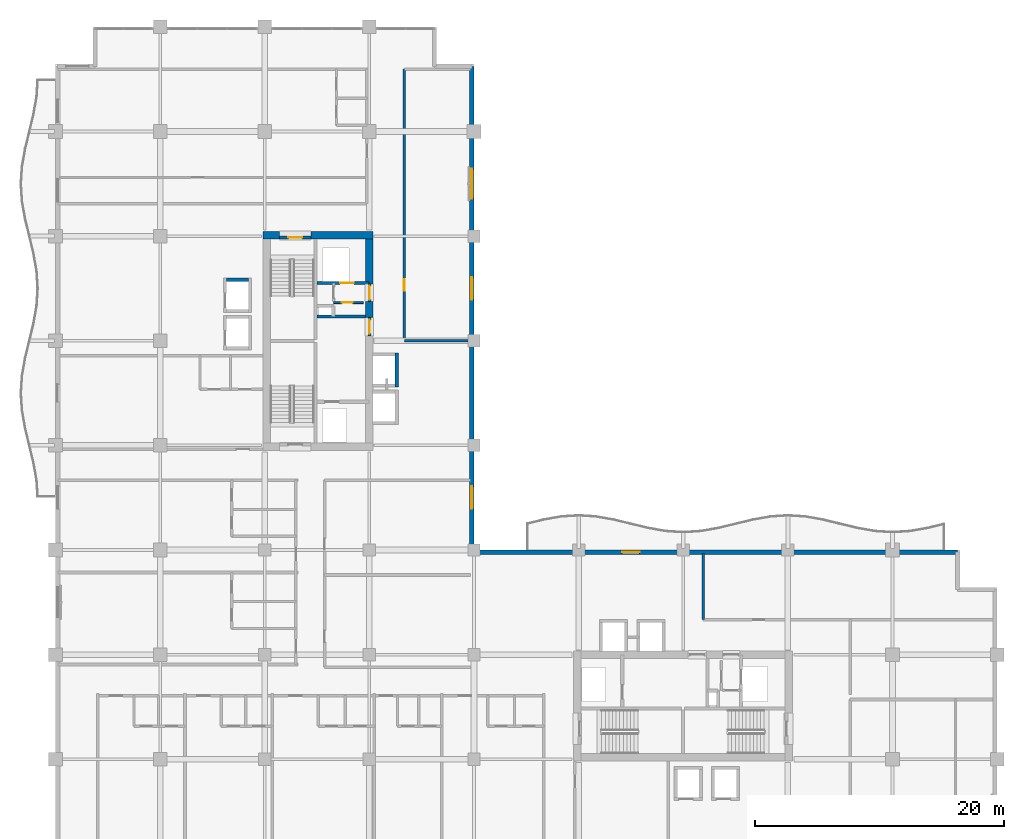
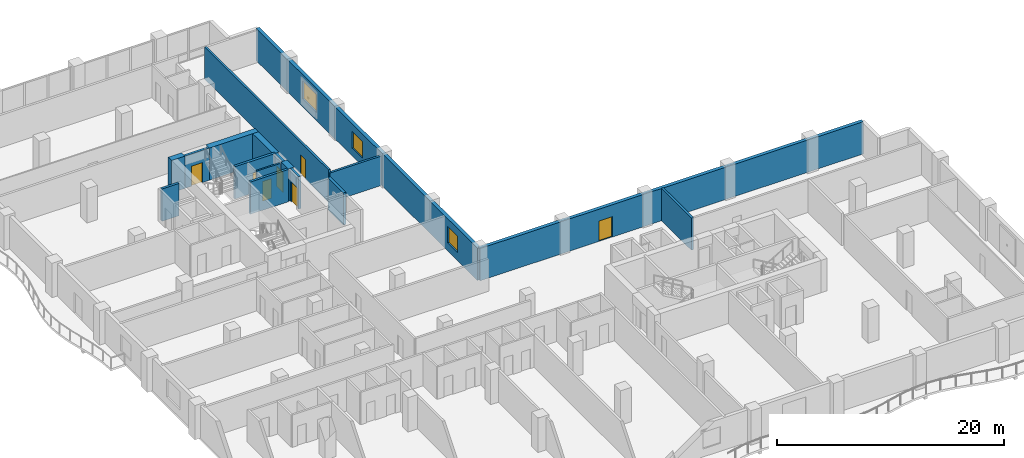
# One storey, part 11 of 19: 17 walls, 7 doors, 3 windows, 10 openings.
"""IFC4 building model written with IfcOpenShell, lengths in metres."""

from ifc_helpers import new_model, si_unit, direction, frame, frame_2d, origin, place, context, subcontext, project, spatial, rectangle, extrude, material, layer, layer_set, type_object, element, fill, save


model = new_model("IFC4")

# Units and contexts
model_context = context("Model", 3, precision=1e-05, world=origin(), true_north=direction((0.0, 1.0)))
body_context = subcontext(model_context, "Body", "Model", "MODEL_VIEW")
ifc_project = project(units=[si_unit("LENGTHUNIT", "METRE"), si_unit("AREAUNIT", "SQUARE_METRE"), si_unit("VOLUMEUNIT", "CUBIC_METRE"), si_unit("PLANEANGLEUNIT", "RADIAN"), si_unit("MASSUNIT", "GRAM", prefix="KILO")], contexts=[model_context])

# Site, building, storey
site_placement = place(None, origin())
site = spatial("IfcSite", under=ifc_project, at=site_placement, CompositionType="ELEMENT")
building_placement = place(site_placement, origin())
building = spatial("IfcBuilding", under=site, at=building_placement, Name="Koriwani Terraces Tower", CompositionType="ELEMENT")
storey_placement = place(building_placement, frame((0.0, 0.0, 190.199951171875)))
storey = spatial("IfcBuildingStorey", under=building, at=storey_placement, Name="L46", CompositionType="ELEMENT", Elevation=190.199951171875)

# Walls
ifc_material_1 = material(Name="Concrete C60/75", Category="concrete")
ifc_layer_1 = layer(ifc_material_1, 0.60009765625, Name="Concrete C60/75")
ifc_layer_set_1 = layer_set([ifc_layer_1], Name="Concrete C60/75")
wall_type_1 = type_object("IfcWallType", Name="WALL_CORE_RC_600", PredefinedType="SHEAR", material=ifc_layer_set_1)
wall_1_placement = place(storey_placement, frame((16.64990234375, 58.85009765625, 0.0), z_axis=(0.0, 0.0, 1.0), x_axis=(1.0, 0.0, 0.0)))
element("IfcWall", 1, at=wall_1_placement, inside=storey, type_object=wall_type_1, Name="L46 West Split Core Shear Wall N1", PredefinedType="SHEAR", context=body_context, shape_type="SweptSolid", body=[
    extrude(rectangle(XDim=1.35009765625, YDim=0.60009765625, at=frame_2d((0.675048828125, 0.0))), origin(), (0.0, 0.0, 1.0), 3.469970703125),
])
wall_2_placement = place(storey_placement, frame((20.5, 58.85009765625, 0.0), z_axis=(0.0, 0.0, 1.0), x_axis=(1.0, 0.0, 0.0)))
element("IfcWall", 2, at=wall_2_placement, inside=storey, type_object=wall_type_1, Name="L46 West Split Core Shear Wall N2", PredefinedType="SHEAR", context=body_context, shape_type="SweptSolid", body=[
    extrude(rectangle(XDim=5.0, YDim=0.60009765625, at=frame_2d((2.5, 0.0))), origin(), (0.0, 0.0, 1.0), 3.469970703125),
])
wall_3_placement = place(storey_placement, frame((25.199951171875, 52.280029296875, 0.0), z_axis=(0.0, 0.0, 1.0), x_axis=(0.0, 1.0, 0.0)))
element("IfcWall", 3, at=wall_3_placement, inside=storey, type_object=wall_type_1, Name="L46 West Split Core Shear Wall E2", PredefinedType="SHEAR", context=body_context, shape_type="SweptSolid", body=[
    extrude(rectangle(XDim=1.27001953125, YDim=0.60009765625, at=frame_2d((0.635009765625, 0.0))), origin(), (0.0, 0.0, 1.0), 3.469970703125),
])
wall_4_placement = place(storey_placement, frame((25.199951171875, 54.949951171875, 0.0), z_axis=(0.0, 0.0, 1.0), x_axis=(0.0, 1.0, 0.0)))
element("IfcWall", 4, at=wall_4_placement, inside=storey, type_object=wall_type_1, Name="L46 West Split Core Shear Wall E3", PredefinedType="SHEAR", context=body_context, shape_type="SweptSolid", body=[
    extrude(rectangle(XDim=3.60009765625, YDim=0.60009765625, at=frame_2d((1.800048828125, 0.0))), origin(), (0.0, 0.0, 1.0), 3.469970703125),
])

# Wall, opening, door
ifc_material_2 = material(Name="Autoclaved Cellular Concrete Blockwork", Category="masonry")
ifc_layer_2 = layer(ifc_material_2, 0.199951171875, Name="Autoclaved Cellular Concrete Blockwork")
ifc_layer_set_2 = layer_set([ifc_layer_2], Name="Autoclaved Cellular Concrete Blockwork")
wall_type_2 = type_object("IfcWallType", Name="WALL_CORRIDOR_200", PredefinedType="PARTITIONING", material=ifc_layer_set_2)
wall_5_placement = place(storey_placement, frame((28.0, 50.39990234375, 0.0), z_axis=(0.0, 0.0, 1.0), x_axis=(0.0, 1.0, 0.0)))
wall_5 = element("IfcWall", 5, at=wall_5_placement, inside=storey, type_object=wall_type_2, Name="L46 Interior Wall WNEC-W-L46", PredefinedType="PARTITIONING", context=body_context, shape_type="SweptSolid", body=[
    extrude(rectangle(XDim=21.800048828125, YDim=0.199951171875, at=frame_2d((10.89990234375, 0.0))), origin(), (0.0, 0.0, 1.0), 3.469970703125),
])
opening_1_placement = place(wall_5_placement, frame((4.0, 0.0, 0.0)))
opening_1 = element("IfcOpeningElement", 6, at=opening_1_placement, cuts=wall_5, Name="Opening D-06", PredefinedType="OPENING", context=body_context, shape_type="SweptSolid", body=[
    extrude(rectangle(XDim=0.919921875, YDim=2.10009765625, at=frame_2d((0.4599609375, 1.050048828125))), frame((0.0, 0.10986328125, 0.0), z_axis=(0.0, -1.0, 0.0), x_axis=(1.0, 0.0, 0.0)), (0.0, 0.0, 1.0), 0.219970703125),
])
ifc_material_3 = material(Name="Architectural Oak Fire Door", Category="wood")
door_type_1 = type_object("IfcDoorType", Name="DOOR_ROOM_INT_920X2100", OperationType="NOTDEFINED", PredefinedType="DOOR", material=ifc_material_3)
door_1_placement = place(opening_1_placement, origin())
door_1 = element("IfcDoor", 7, at=door_1_placement, inside=storey, type_object=door_type_1, Name="L46 North Court Study Door", OperationType="SINGLE_SWING_LEFT", OverallHeight=2.10009765625, OverallWidth=0.919921875, PredefinedType="DOOR", context=body_context, shape_type="SweptSolid", body=[
    extrude(rectangle(XDim=0.919921875, YDim=2.10009765625, at=frame_2d((0.4599609375, 1.050048828125))), frame((0.0, 0.02490234375, 0.0), z_axis=(0.0, -1.0, 0.0), x_axis=(1.0, 0.0, 0.0)), (0.0, 0.0, 1.0), 0.050048828125),
])
fill(opening_1, door_1)

# Walls
ifc_layer_3 = layer(ifc_material_2, 0.219970703125, Name="Autoclaved Cellular Concrete Blockwork")
ifc_layer_set_3 = layer_set([ifc_layer_3], Name="Autoclaved Cellular Concrete Blockwork")
wall_type_3 = type_object("IfcWallType", Name="WALL_DEMISING_220", PredefinedType="PARTITIONING", material=ifc_layer_set_3)
wall_6_placement = place(storey_placement, frame((28.0, 50.39990234375, 0.0), z_axis=(0.0, 0.0, 1.0), x_axis=(1.0, 0.0, 0.0)))
element("IfcWall", 8, at=wall_6_placement, inside=storey, type_object=wall_type_3, Name="L46 Interior Wall WNEC-S-L46", PredefinedType="PARTITIONING", context=body_context, shape_type="SweptSolid", body=[
    extrude(rectangle(XDim=5.300048828125, YDim=0.219970703125, at=frame_2d((2.64990234375, 0.0))), origin(), (0.0, 0.0, 1.0), 3.16015625),
])
wall_7_placement = place(storey_placement, frame((52.0, 28.0, 0.0), z_axis=(0.0, 0.0, 1.0), x_axis=(0.0, 1.0, 0.0)))
element("IfcWall", 9, at=wall_7_placement, inside=storey, type_object=wall_type_3, Name="L46 Interior Wall WSET2-W-L46", PredefinedType="PARTITIONING", context=body_context, shape_type="SweptSolid", body=[
    extrude(rectangle(XDim=5.300048828125, YDim=0.219970703125, at=frame_2d((2.64990234375, 0.0))), origin(), (0.0, 0.0, 1.0), 3.469970703125),
])

# Wall, openings, windows
ifc_material_4 = material(Name="Concrete C50/60", Category="concrete")
ifc_layer_4 = layer(ifc_material_4, 0.35009765625, Name="Concrete C50/60")
ifc_layer_set_4 = layer_set([ifc_layer_4], Name="Concrete C50/60")
wall_type_4 = type_object("IfcWallType", Name="WALL_EXT_BRUTALIST_350", PredefinedType="STANDARD", material=ifc_layer_set_4)
wall_8_placement = place(storey_placement, frame((33.425048828125, 72.425048828125, 0.0), z_axis=(0.0, 0.0, 1.0), x_axis=(0.0, -1.0, 0.0)))
wall_8 = element("IfcWall", 10, at=wall_8_placement, inside=storey, type_object=wall_type_4, Name="L46 Fair-Faced Brutalist Exterior Wall (NW_IN)", PredefinedType="STANDARD", context=body_context, shape_type="SweptSolid", body=[
    extrude(rectangle(XDim=39.0, YDim=0.35009765625, at=frame_2d((19.5, 0.0))), origin(), (0.0, 0.0, 1.0), 3.469970703125),
])
opening_2_placement = place(wall_8_placement, frame((33.72509765625, 0.0, 0.85009765625)))
opening_2 = element("IfcOpeningElement", 11, at=opening_2_placement, cuts=wall_8, Name="Opening W-04", PredefinedType="OPENING", context=body_context, shape_type="SweptSolid", body=[
    extrude(rectangle(XDim=1.800048828125, YDim=1.800048828125, at=frame_2d((0.89990234375, 0.89990234375))), frame((0.0, 0.18505859375, 0.0), z_axis=(0.0, -1.0, 0.0), x_axis=(1.0, 0.0, 0.0)), (0.0, 0.0, 1.0), 0.3701171875),
])
opening_3_placement = place(wall_8_placement, frame((16.925048828125, 0.0, 0.85009765625)))
opening_3 = element("IfcOpeningElement", 12, at=opening_3_placement, cuts=wall_8, Name="Opening W-04", PredefinedType="OPENING", context=body_context, shape_type="SweptSolid", body=[
    extrude(rectangle(XDim=1.800048828125, YDim=1.800048828125, at=frame_2d((0.89990234375, 0.89990234375))), frame((0.0, 0.18505859375, 0.0), z_axis=(0.0, -1.0, 0.0), x_axis=(1.0, 0.0, 0.0)), (0.0, 0.0, 1.0), 0.3701171875),
])
opening_4_placement = place(wall_8_placement, frame((8.22509765625, 0.0, 0.85009765625)))
opening_4 = element("IfcOpeningElement", 13, at=opening_4_placement, cuts=wall_8, Name="Opening W-03", PredefinedType="OPENING", context=body_context, shape_type="SweptSolid", body=[
    extrude(rectangle(XDim=2.39990234375, YDim=1.949951171875, at=frame_2d((1.199951171875, 0.97509765625))), frame((0.0, 0.18505859375, 0.0), z_axis=(0.0, -1.0, 0.0), x_axis=(1.0, 0.0, 0.0)), (0.0, 0.0, 1.0), 0.3701171875),
])
ifc_material_5 = material(Name="Tempered Laminated Low-E Glass", Category="glass")
window_type_1 = type_object("IfcWindowType", Name="WIN_RES_BED_1800X1800", PartitioningType="DOUBLE_PANEL_VERTICAL", PredefinedType="WINDOW", material=ifc_material_5)
window_1_placement = place(opening_2_placement, origin())
window_1 = element("IfcWindow", 14, at=window_1_placement, inside=storey, type_object=window_type_1, Name="L46 Exterior Window (NW_IN-2)", OverallHeight=1.800048828125, OverallWidth=1.800048828125, PartitioningType="SINGLE_PANEL", PredefinedType="WINDOW", context=body_context, shape_type="SweptSolid", body=[
    extrude(rectangle(XDim=1.800048828125, YDim=1.800048828125, at=frame_2d((0.89990234375, 0.89990234375))), frame((0.0, 0.030029296875, 0.0), z_axis=(0.0, -1.0, 0.0), x_axis=(1.0, 0.0, 0.0)), (0.0, 0.0, 1.0), 0.06005859375),
])
fill(opening_2, window_1)
window_2_placement = place(opening_3_placement, origin())
window_2 = element("IfcWindow", 15, at=window_2_placement, inside=storey, type_object=window_type_1, Name="L46 Exterior Window (NW_IN-8)", OverallHeight=1.800048828125, OverallWidth=1.800048828125, PartitioningType="SINGLE_PANEL", PredefinedType="WINDOW", context=body_context, shape_type="SweptSolid", body=[
    extrude(rectangle(XDim=1.800048828125, YDim=1.800048828125, at=frame_2d((0.89990234375, 0.89990234375))), frame((0.0, 0.030029296875, 0.0), z_axis=(0.0, -1.0, 0.0), x_axis=(1.0, 0.0, 0.0)), (0.0, 0.0, 1.0), 0.06005859375),
])
fill(opening_3, window_2)
window_type_2 = type_object("IfcWindowType", Name="WIN_RES_LIVING_2400X1950", PartitioningType="DOUBLE_PANEL_VERTICAL", PredefinedType="WINDOW", material=ifc_material_5)
window_3_placement = place(opening_4_placement, origin())
window_3 = element("IfcWindow", 16, at=window_3_placement, inside=storey, type_object=window_type_2, Name="L46 Exterior Window (NW_IN-11)", OverallHeight=1.949951171875, OverallWidth=2.39990234375, PartitioningType="SINGLE_PANEL", PredefinedType="WINDOW", context=body_context, shape_type="SweptSolid", body=[
    extrude(rectangle(XDim=2.39990234375, YDim=1.949951171875, at=frame_2d((1.199951171875, 0.97509765625))), frame((0.0, 0.030029296875, 0.0), z_axis=(0.0, -1.0, 0.0), x_axis=(1.0, 0.0, 0.0)), (0.0, 0.0, 1.0), 0.06005859375),
])
fill(opening_4, window_3)

# Wall, opening, door
wall_9_placement = place(storey_placement, frame((33.425048828125, 33.425048828125, 0.0), z_axis=(0.0, 0.0, 1.0), x_axis=(1.0, 0.0, 0.0)))
wall_9 = element("IfcWall", 17, at=wall_9_placement, inside=storey, type_object=wall_type_4, Name="L46 Fair-Faced Brutalist Exterior Wall (NE)", PredefinedType="STANDARD", context=body_context, shape_type="SweptSolid", body=[
    extrude(rectangle(XDim=39.0, YDim=0.35009765625, at=frame_2d((19.5, 0.0))), origin(), (0.0, 0.0, 1.0), 3.469970703125),
])
opening_5_placement = place(wall_9_placement, frame((12.074951171875, 0.0, 0.0)))
opening_5 = element("IfcOpeningElement", 18, at=opening_5_placement, cuts=wall_9, Name="Opening D-09", PredefinedType="OPENING", context=body_context, shape_type="SweptSolid", body=[
    extrude(rectangle(XDim=1.39990234375, YDim=2.199951171875, at=frame_2d((0.699951171875, 1.10009765625))), frame((0.0, 0.18505859375, 0.0), z_axis=(0.0, -1.0, 0.0), x_axis=(1.0, 0.0, 0.0)), (0.0, 0.0, 1.0), 0.3701171875),
])
ifc_material_6 = material(Name="Anodised Bronze Aluminium", Category="aluminium")
door_type_2 = type_object("IfcDoorType", Name="DOOR_BALCONY_GLAZED_1400X2200", OperationType="NOTDEFINED", PredefinedType="DOOR", material=ifc_material_6)
door_2_placement = place(opening_5_placement, origin())
door_2 = element("IfcDoor", 19, at=door_2_placement, inside=storey, type_object=door_type_2, Name="L46 Inner Court Balcony Glazed Door", OperationType="SINGLE_SWING_LEFT", OverallHeight=2.199951171875, OverallWidth=1.39990234375, PredefinedType="DOOR", context=body_context, shape_type="SweptSolid", body=[
    extrude(rectangle(XDim=1.39990234375, YDim=2.199951171875, at=frame_2d((0.699951171875, 1.10009765625))), frame((0.0, 0.02490234375, 0.0), z_axis=(0.0, -1.0, 0.0), x_axis=(1.0, 0.0, 0.0)), (0.0, 0.0, 1.0), 0.050048828125),
])
fill(opening_5, door_2)

ifc_material_7 = material(Name="Concrete C40/50", Category="concrete")
ifc_layer_5 = layer(ifc_material_7, 0.25, Name="Concrete C40/50")
ifc_layer_set_5 = layer_set([ifc_layer_5], Name="Concrete C40/50")
wall_type_5 = type_object("IfcWallType", Name="WALL_SHAFT_RATED_250", PredefinedType="SOLIDWALL", material=ifc_layer_set_5)
wall_10_placement = place(storey_placement, frame((18.0, 58.675048828125, 0.0), z_axis=(0.0, 0.0, 1.0), x_axis=(1.0, 0.0, 0.0)))
wall_10 = element("IfcWall", 20, at=wall_10_placement, inside=storey, type_object=wall_type_5, Name="L46 Interior Wall WIN-CW-L46-STN", PredefinedType="SOLIDWALL", context=body_context, shape_type="SweptSolid", body=[
    extrude(rectangle(XDim=2.5, YDim=0.25, at=frame_2d((1.25, 0.0))), origin(), (0.0, 0.0, 1.0), 3.469970703125),
])
opening_6_placement = place(wall_10_placement, frame((0.699951171875, 0.0, 0.0)))
opening_6 = element("IfcOpeningElement", 21, at=opening_6_placement, cuts=wall_10, Name="Opening D-03", PredefinedType="OPENING", context=body_context, shape_type="SweptSolid", body=[
    extrude(rectangle(XDim=1.10009765625, YDim=2.14990234375, at=frame_2d((0.550048828125, 1.074951171875))), frame((0.0, 0.135009765625, 0.0), z_axis=(0.0, -1.0, 0.0), x_axis=(1.0, 0.0, 0.0)), (0.0, 0.0, 1.0), 0.27001953125),
])
ifc_material_8 = material(Name="Steel ASTM A572 Grade 50", Category="steel")
door_type_3 = type_object("IfcDoorType", Name="DOOR_STAIR_FIRE_1100X2150", OperationType="NOTDEFINED", PredefinedType="DOOR", material=ifc_material_8)
door_3_placement = place(opening_6_placement, origin())
door_3 = element("IfcDoor", 22, at=door_3_placement, inside=storey, type_object=door_type_3, Name="L46 Exit Stair ST-W2 Door", OperationType="SINGLE_SWING_LEFT", OverallHeight=2.14990234375, OverallWidth=1.10009765625, PredefinedType="DOOR", context=body_context, shape_type="SweptSolid", body=[
    extrude(rectangle(XDim=1.10009765625, YDim=2.14990234375, at=frame_2d((0.550048828125, 1.074951171875))), frame((0.0, 0.02490234375, 0.0), z_axis=(0.0, -1.0, 0.0), x_axis=(1.0, 0.0, 0.0)), (0.0, 0.0, 1.0), 0.050048828125),
])
fill(opening_6, door_3)

wall_11_placement = place(storey_placement, frame((25.199951171875, 50.800048828125, 0.0), z_axis=(0.0, 0.0, 1.0), x_axis=(0.0, 1.0, 0.0)))
wall_11 = element("IfcWall", 23, at=wall_11_placement, inside=storey, type_object=wall_type_5, Name="L46 Interior Wall WIN-CW-L46-EP", PredefinedType="SOLIDWALL", context=body_context, shape_type="SweptSolid", body=[
    extrude(rectangle(XDim=1.47998046875, YDim=0.25, at=frame_2d((0.739990234375, 0.0))), origin(), (0.0, 0.0, 1.0), 3.469970703125),
])
opening_7_placement = place(wall_11_placement, frame((0.179931640625, 0.0, 0.0)))
opening_7 = element("IfcOpeningElement", 24, at=opening_7_placement, cuts=wall_11, Name="Opening D-03", PredefinedType="OPENING", context=body_context, shape_type="SweptSolid", body=[
    extrude(rectangle(XDim=1.10009765625, YDim=2.14990234375, at=frame_2d((0.550048828125, 1.074951171875))), frame((0.0, 0.135009765625, 0.0), z_axis=(0.0, -1.0, 0.0), x_axis=(1.0, 0.0, 0.0)), (0.0, 0.0, 1.0), 0.27001953125),
])
door_4_placement = place(opening_7_placement, origin())
door_4 = element("IfcDoor", 25, at=door_4_placement, inside=storey, type_object=door_type_3, Name="L46 West Firefighting Lobby Door", OperationType="SINGLE_SWING_RIGHT", OverallHeight=2.14990234375, OverallWidth=1.10009765625, PredefinedType="DOOR", context=body_context, shape_type="SweptSolid", body=[
    extrude(rectangle(XDim=1.10009765625, YDim=2.14990234375, at=frame_2d((0.550048828125, 1.074951171875))), frame((0.0, 0.02490234375, 0.0), z_axis=(0.0, -1.0, 0.0), x_axis=(1.0, 0.0, 0.0)), (0.0, 0.0, 1.0), 0.050048828125),
])
fill(opening_7, door_4)

# Wall
wall_12_placement = place(storey_placement, frame((21.0, 52.340087890625, 0.0), z_axis=(0.0, 0.0, 1.0), x_axis=(1.0, 0.0, 0.0)))
element("IfcWall", 26, at=wall_12_placement, inside=storey, type_object=wall_type_5, Name="L46 Interior Wall WIN-CW-L46-FFN", PredefinedType="SOLIDWALL", context=body_context, shape_type="SweptSolid", body=[
    extrude(rectangle(XDim=3.89990234375, YDim=0.25, at=frame_2d((1.949951171875, 0.0))), origin(), (0.0, 0.0, 1.0), 3.469970703125),
])

# Wall, opening, door
wall_13_placement = place(storey_placement, frame((21.0, 55.050048828125, 0.0), z_axis=(0.0, 0.0, 1.0), x_axis=(1.0, 0.0, 0.0)))
wall_13 = element("IfcWall", 27, at=wall_13_placement, inside=storey, type_object=wall_type_5, Name="L46 Interior Wall WIN-CW-L46-SE", PredefinedType="SOLIDWALL", context=body_context, shape_type="SweptSolid", body=[
    extrude(rectangle(XDim=4.14990234375, YDim=0.25, at=frame_2d((2.074951171875, 0.0))), origin(), (0.0, 0.0, 1.0), 3.469970703125),
])
opening_8_placement = place(wall_13_placement, frame((1.85009765625, 0.0, 0.0)))
opening_8 = element("IfcOpeningElement", 28, at=opening_8_placement, cuts=wall_13, Name="Opening LD-01", PredefinedType="OPENING", context=body_context, shape_type="SweptSolid", body=[
    extrude(rectangle(XDim=1.10009765625, YDim=2.14990234375, at=frame_2d((0.550048828125, 1.074951171875))), frame((0.0, 0.135009765625, 0.0), z_axis=(0.0, -1.0, 0.0), x_axis=(1.0, 0.0, 0.0)), (0.0, 0.0, 1.0), 0.27001953125),
])
door_type_4 = type_object("IfcDoorType", Name="DOOR_LIFT_LANDING_1100X2200", OperationType="NOTDEFINED", PredefinedType="DOOR", material=ifc_material_8)
door_5_placement = place(opening_8_placement, origin())
door_5 = element("IfcDoor", 29, at=door_5_placement, inside=storey, type_object=door_type_4, Name="L46 Goods Lift SE-01 Landing Door", OperationType="SLIDING_TO_LEFT", OverallHeight=2.14990234375, OverallWidth=1.10009765625, PredefinedType="DOOR", context=body_context, shape_type="SweptSolid", body=[
    extrude(rectangle(XDim=1.10009765625, YDim=2.14990234375, at=frame_2d((0.550048828125, 1.074951171875))), frame((0.0, 0.02490234375, 0.0), z_axis=(0.0, -1.0, 0.0), x_axis=(1.0, 0.0, 0.0)), (0.0, 0.0, 1.0), 0.050048828125),
])
fill(opening_8, door_5)

wall_14_placement = place(storey_placement, frame((25.199951171875, 53.550048828125, 0.0), z_axis=(0.0, 0.0, 1.0), x_axis=(0.0, 1.0, 0.0)))
wall_14 = element("IfcWall", 30, at=wall_14_placement, inside=storey, type_object=wall_type_5, Name="L46 Interior Wall WIN-CW-L46-EP2", PredefinedType="SOLIDWALL", context=body_context, shape_type="SweptSolid", body=[
    extrude(rectangle(XDim=1.39990234375, YDim=0.25, at=frame_2d((0.699951171875, 0.0))), origin(), (0.0, 0.0, 1.0), 3.469970703125),
])
opening_9_placement = place(wall_14_placement, frame((0.14990234375, 0.0, 0.0)))
opening_9 = element("IfcOpeningElement", 31, at=opening_9_placement, cuts=wall_14, Name="Opening D-03", PredefinedType="OPENING", context=body_context, shape_type="SweptSolid", body=[
    extrude(rectangle(XDim=1.10009765625, YDim=2.14990234375, at=frame_2d((0.550048828125, 1.074951171875))), frame((0.0, 0.135009765625, 0.0), z_axis=(0.0, -1.0, 0.0), x_axis=(1.0, 0.0, 0.0)), (0.0, 0.0, 1.0), 0.27001953125),
])
door_6_placement = place(opening_9_placement, origin())
door_6 = element("IfcDoor", 32, at=door_6_placement, inside=storey, type_object=door_type_3, Name="L46 West Goods Lift Lobby Door", OperationType="SINGLE_SWING_LEFT", OverallHeight=2.14990234375, OverallWidth=1.10009765625, PredefinedType="DOOR", context=body_context, shape_type="SweptSolid", body=[
    extrude(rectangle(XDim=1.10009765625, YDim=2.14990234375, at=frame_2d((0.550048828125, 1.074951171875))), frame((0.0, 0.02490234375, 0.0), z_axis=(0.0, -1.0, 0.0), x_axis=(1.0, 0.0, 0.0)), (0.0, 0.0, 1.0), 0.050048828125),
])
fill(opening_9, door_6)

# Walls
wall_15_placement = place(storey_placement, frame((13.72509765625, 55.300048828125, 0.0), z_axis=(0.0, 0.0, 1.0), x_axis=(1.0, 0.0, 0.0)))
element("IfcWall", 33, at=wall_15_placement, inside=storey, type_object=wall_type_5, Name="L46 Interior Wall WIN-LF-PE-M2-L46-N", PredefinedType="SOLIDWALL", context=body_context, shape_type="SweptSolid", body=[
    extrude(rectangle(XDim=1.75, YDim=0.25, at=frame_2d((0.875, 0.0))), origin(), (0.0, 0.0, 1.0), 3.469970703125),
])
wall_16_placement = place(storey_placement, frame((27.39990234375, 46.675048828125, 0.0), z_axis=(0.0, 0.0, 1.0), x_axis=(0.0, 1.0, 0.0)))
element("IfcWall", 34, at=wall_16_placement, inside=storey, type_object=wall_type_5, Name="L46 Interior Wall WIN-LF-PE-H2-L46-F", PredefinedType="SOLIDWALL", context=body_context, shape_type="SweptSolid", body=[
    extrude(rectangle(XDim=2.75, YDim=0.25, at=frame_2d((1.375, 0.0))), origin(), (0.0, 0.0, 1.0), 3.469970703125),
])

# Wall, opening, door
ifc_material_9 = material(Name="Fire-Rated Acoustic Gypsum Partition", Category="masonry")
ifc_layer_6 = layer(ifc_material_9, 0.159912109375, Name="Fire-Rated Acoustic Gypsum Partition")
ifc_layer_set_6 = layer_set([ifc_layer_6], Name="Fire-Rated Acoustic Gypsum Partition")
wall_type_6 = type_object("IfcWallType", Name="WALL_SUITE_160", PredefinedType="PARTITIONING", material=ifc_layer_set_6)
wall_17_placement = place(storey_placement, frame((22.320068359375, 53.4599609375, 0.0), z_axis=(0.0, 0.0, 1.0), x_axis=(1.0, 0.0, 0.0)))
wall_17 = element("IfcWall", 35, at=wall_17_placement, inside=storey, type_object=wall_type_6, Name="L46 Interior Wall WIN-CW-L46-SV1B", PredefinedType="PARTITIONING", context=body_context, shape_type="SweptSolid", body=[
    extrude(rectangle(XDim=2.39990234375, YDim=0.159912109375, at=frame_2d((1.199951171875, 0.0))), origin(), (0.0, 0.0, 1.0), 3.469970703125),
])
opening_10_placement = place(wall_17_placement, frame((0.64990234375, 0.0, 0.0)))
opening_10 = element("IfcOpeningElement", 36, at=opening_10_placement, cuts=wall_17, Name="Opening D-07", PredefinedType="OPENING", context=body_context, shape_type="SweptSolid", body=[
    extrude(rectangle(XDim=0.89990234375, YDim=2.10009765625, at=frame_2d((0.449951171875, 1.050048828125))), frame((0.0, 0.08984375, 0.0), z_axis=(0.0, -1.0, 0.0), x_axis=(1.0, 0.0, 0.0)), (0.0, 0.0, 1.0), 0.179931640625),
])
door_type_5 = type_object("IfcDoorType", Name="DOOR_BATH_INT_900X2100", OperationType="NOTDEFINED", PredefinedType="DOOR", material=ifc_material_3)
door_7_placement = place(opening_10_placement, origin())
door_7 = element("IfcDoor", 37, at=door_7_placement, inside=storey, type_object=door_type_5, Name="L46 West Cleaners Closet Door", OperationType="SINGLE_SWING_LEFT", OverallHeight=2.10009765625, OverallWidth=0.89990234375, PredefinedType="DOOR", context=body_context, shape_type="SweptSolid", body=[
    extrude(rectangle(XDim=0.89990234375, YDim=2.10009765625, at=frame_2d((0.449951171875, 1.050048828125))), frame((0.0, 0.02490234375, 0.0), z_axis=(0.0, -1.0, 0.0), x_axis=(1.0, 0.0, 0.0)), (0.0, 0.0, 1.0), 0.050048828125),
])
fill(opening_10, door_7)

save(model, "model.ifc")
